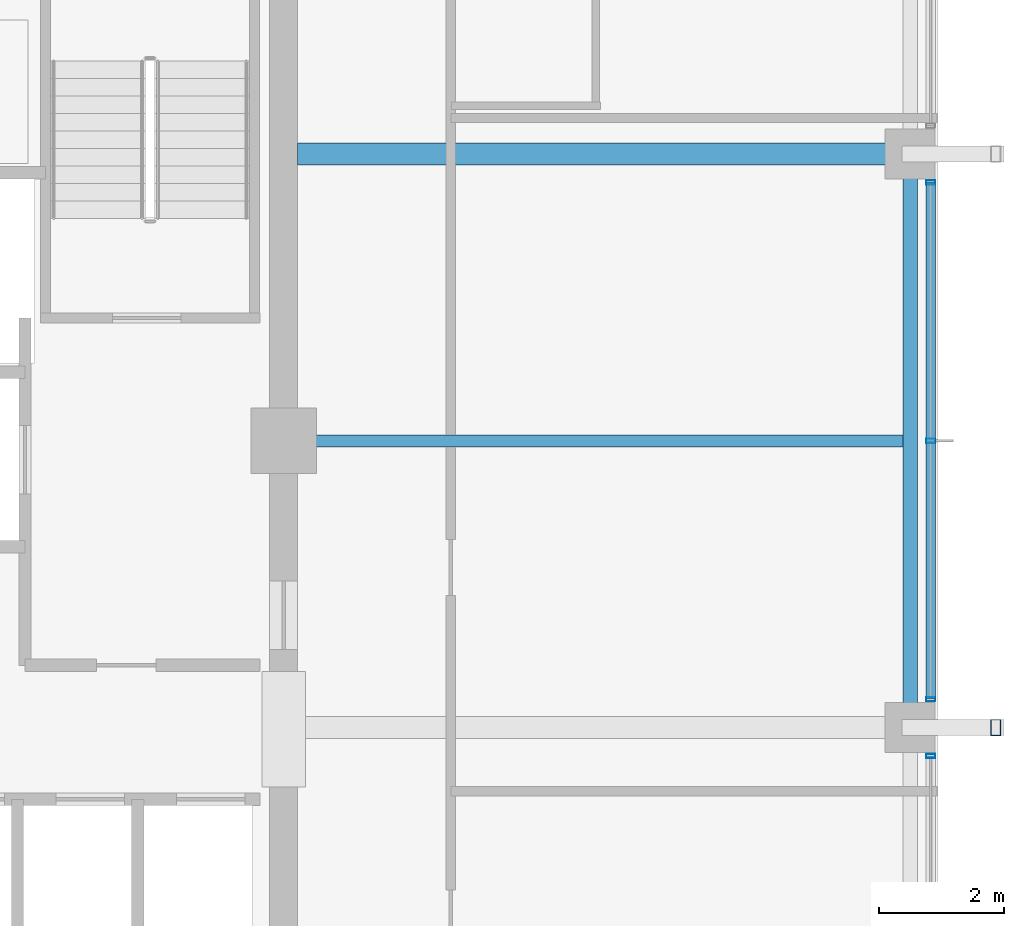
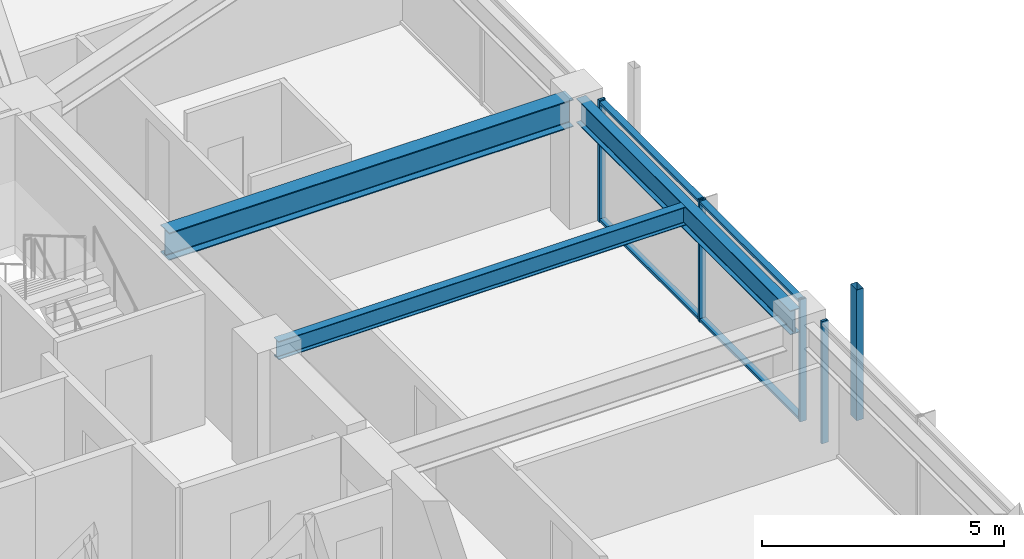
# One storey, part 13 of 33: 7 members, 3 beams, 2 elements without a shape of their own.
"""IFC4 building model written with IfcOpenShell, lengths in metres."""

from ifc_helpers import new_model, si_unit, direction, frame, origin, origin_2d, place, context, subcontext, project, spatial, hollow_rectangle, i_section, extrude, material, material_profile, profile_set, type_object, element, aggregate, save


model = new_model("IFC4")

# Units and contexts
model_context = context("Model", 3, precision=1e-05, world=origin(), true_north=direction((0.0, 1.0)))
body_context = subcontext(model_context, "Body", "Model", "MODEL_VIEW")
ifc_project = project(units=[si_unit("LENGTHUNIT", "METRE"), si_unit("AREAUNIT", "SQUARE_METRE"), si_unit("VOLUMEUNIT", "CUBIC_METRE"), si_unit("PLANEANGLEUNIT", "RADIAN"), si_unit("MASSUNIT", "GRAM", prefix="KILO")], contexts=[model_context])

# Site, building, storey
site_placement = place(None, origin())
site = spatial("IfcSite", under=ifc_project, at=site_placement, CompositionType="ELEMENT")
building_placement = place(site_placement, origin())
building = spatial("IfcBuilding", under=site, at=building_placement, Name="Kolvaren Belvedere", CompositionType="ELEMENT")
storey_placement = place(building_placement, frame((0.0, 0.0, 209.699951171875)))
storey = spatial("IfcBuildingStorey", under=building, at=storey_placement, Name="L61", CompositionType="ELEMENT", Elevation=209.699951171875)

# Beams
ifc_material_1 = material(Name="Structural steel ASTM A992 Grade 50", Category="steel")
ifc_material_profile_1 = material_profile(ifc_material_1, i_section(OverallWidth=0.35498046875, OverallDepth=0.696044921875, WebThickness=0.015380859375, FlangeThickness=0.02490234375, FilletRadius=0.02197265625, at=origin_2d()), Name="W27X146")
ifc_profile_set_1 = profile_set([ifc_material_profile_1], Name="Structural steel ASTM A992 Grade 50")
beam_type_1 = type_object("IfcBeamType", Name="BM-GIRD-W27X146", PredefinedType="BEAM", material=ifc_profile_set_1)
beam_1_placement = place(storey_placement, frame((10.125, 4.60009765625, 2.73193359375), z_axis=(1.0, 0.0, 0.0), x_axis=(0.0, 1.0, 0.0)))
element("IfcBeam", 1, at=beam_1_placement, inside=storey, type_object=beam_type_1, Name="L61 East Radial Girder P", PredefinedType="BEAM", context=body_context, shape_type="SweptSolid", body=[
    extrude(i_section(OverallWidth=0.35498046875, OverallDepth=0.696044921875, WebThickness=0.015380859375, FlangeThickness=0.02490234375, FilletRadius=0.02197265625, at=origin_2d()), origin(), (0.0, 0.0, 1.0), 9.64501953125),
])
ifc_material_2 = material(Name="Structural steel ASTM A992 Grade 50", Category="steel")
ifc_material_profile_2 = material_profile(ifc_material_2, i_section(OverallWidth=0.19091796875, OverallDepth=0.4599609375, WebThickness=0.010009765625, FlangeThickness=0.01611328125, FilletRadius=0.014892578125, at=origin_2d()), Name="W18X55")
ifc_profile_set_2 = profile_set([ifc_material_profile_2], Name="Structural steel ASTM A992 Grade 50")
beam_type_2 = type_object("IfcBeamType", Name="BM-JOIST-W18X55", PredefinedType="BEAM", material=ifc_profile_set_2)
beam_2_placement = place(storey_placement, frame((10.125, 0.0, 2.85009765625), z_axis=(1.0, 0.0, 0.0), x_axis=(0.0, 1.0, 0.0)))
element("IfcBeam", 2, at=beam_2_placement, inside=storey, type_object=beam_type_2, Name="L61 East Centre Floor Beam", PredefinedType="BEAM", context=body_context, shape_type="SweptSolid", body=[
    extrude(i_section(OverallWidth=0.19091796875, OverallDepth=0.4599609375, WebThickness=0.010009765625, FlangeThickness=0.01611328125, FilletRadius=0.014892578125, at=origin_2d()), origin(), (0.0, 0.0, 1.0), 9.71044921875),
])
ifc_material_3 = material(Name="Structural steel ASTM A992 Grade 50", Category="steel")
ifc_material_profile_3 = material_profile(ifc_material_3, i_section(OverallWidth=0.22900390625, OverallDepth=0.612060546875, WebThickness=0.011962890625, FlangeThickness=0.01953125, FilletRadius=0.01806640625, at=origin_2d()), Name="W24X84")
ifc_profile_set_3 = profile_set([ifc_material_profile_3], Name="Structural steel ASTM A992 Grade 50")
beam_type_3 = type_object("IfcBeamType", Name="BM-SPAN-W24X84", PredefinedType="SPANDREL", material=ifc_profile_set_3)
beam_3_placement = place(storey_placement, frame((19.949951171875, -4.419921875, 2.774169921875), z_axis=(0.0, 1.0, 0.0), x_axis=(-1.0, 0.0, 0.0)))
element("IfcBeam", 3, at=beam_3_placement, inside=storey, type_object=beam_type_3, Name="L61 Perimeter Spandrel E2-E3", PredefinedType="SPANDREL", context=body_context, shape_type="SweptSolid", body=[
    extrude(i_section(OverallWidth=0.22900390625, OverallDepth=0.612060546875, WebThickness=0.011962890625, FlangeThickness=0.01953125, FilletRadius=0.01806640625, at=origin_2d()), origin(), (0.0, 0.0, 1.0), 8.83984375),
])

# Curtain wall, members
ifc_material_4 = material(Name="Anodised pale-metal aluminium AA 6063-T6", Category="aluminium")
curtain_wall_type = type_object("IfcCurtainWallType", Name="CW-Z5-HIGH", PredefinedType="NOTDEFINED", material=ifc_material_4)
curtain_wall_1_placement = place(storey_placement, origin())
curtain_wall_1 = element("IfcCurtainWall", 4, at=curtain_wall_1_placement, inside=storey, type_object=curtain_wall_type, Name="L61 Unitised Curtain Wall FCW-L61-E-B2", PredefinedType="NOTDEFINED")
ifc_material_5 = material(Name="Anodised pale-metal aluminium AA 6063-T6", Category="aluminium")
ifc_material_profile_4 = material_profile(ifc_material_5, hollow_rectangle(XDim=0.070068359375, YDim=0.14990234375, WallThickness=0.004150390625, at=origin_2d()), Name="ALU-MUL-150X70")
ifc_profile_set_4 = profile_set([ifc_material_profile_4], Name="Anodised pale-metal aluminium AA 6063-T6")
member_type_1 = type_object("IfcMemberType", Name="CW-MUL-150", PredefinedType="MULLION", material=ifc_profile_set_4)
member_1_placement = place(storey_placement, frame((20.280029296875, 4.14501953125, 0.0), z_axis=(0.0, 0.0, 1.0), x_axis=(0.0, 1.0, 0.0)))
member_1 = element("IfcMember", 5, at=member_1_placement, type_object=member_type_1, Name="FCW-L61-E-B2 Unitised Mullion 1", PredefinedType="MULLION", context=body_context, shape_type="SweptSolid", body=[
    extrude(hollow_rectangle(XDim=0.070068359375, YDim=0.14990234375, WallThickness=0.004150390625, at=origin_2d()), origin(), (0.0, 0.0, 1.0), 3.080078125),
])
member_2_placement = place(storey_placement, frame((20.280029296875, 0.0, 0.0), z_axis=(0.0, 0.0, 1.0), x_axis=(0.0, 1.0, 0.0)))
member_2 = element("IfcMember", 6, at=member_2_placement, type_object=member_type_1, Name="FCW-L61-E-B2 Unitised Mullion 2", PredefinedType="MULLION", context=body_context, shape_type="SweptSolid", body=[
    extrude(hollow_rectangle(XDim=0.070068359375, YDim=0.14990234375, WallThickness=0.004150390625, at=origin_2d()), origin(), (0.0, 0.0, 1.0), 3.080078125),
])
member_3_placement = place(storey_placement, frame((20.280029296875, -4.14501953125, 0.0), z_axis=(0.0, 0.0, 1.0), x_axis=(0.0, 1.0, 0.0)))
member_3 = element("IfcMember", 7, at=member_3_placement, type_object=member_type_1, Name="FCW-L61-E-B2 Unitised Mullion 3", PredefinedType="MULLION", context=body_context, shape_type="SweptSolid", body=[
    extrude(hollow_rectangle(XDim=0.070068359375, YDim=0.14990234375, WallThickness=0.004150390625, at=origin_2d()), origin(), (0.0, 0.0, 1.0), 3.080078125),
])

# Curtain wall, member
curtain_wall_2_placement = place(storey_placement, origin())
curtain_wall_2 = element("IfcCurtainWall", 8, at=curtain_wall_2_placement, inside=storey, type_object=curtain_wall_type, Name="L61 Unitised Curtain Wall FCW-L61-E-B3", PredefinedType="NOTDEFINED")
member_4_placement = place(storey_placement, frame((20.280029296875, -5.054931640625, 0.0), z_axis=(0.0, 0.0, 1.0), x_axis=(0.0, 1.0, 0.0)))
member_4 = element("IfcMember", 9, at=member_4_placement, type_object=member_type_1, Name="FCW-L61-E-B3 Unitised Mullion 1", PredefinedType="MULLION", context=body_context, shape_type="SweptSolid", body=[
    extrude(hollow_rectangle(XDim=0.070068359375, YDim=0.14990234375, WallThickness=0.004150390625, at=origin_2d()), origin(), (0.0, 0.0, 1.0), 3.080078125),
])
aggregate(curtain_wall_2, [member_4])

# Member
ifc_material_6 = material(Name="Anodised pale-metal aluminium AA 6063-T6", Category="aluminium")
ifc_material_profile_5 = material_profile(ifc_material_6, hollow_rectangle(XDim=0.06494140625, YDim=0.14990234375, WallThickness=0.00390625, at=origin_2d()), Name="ALU-TRN-150X65")
ifc_profile_set_5 = profile_set([ifc_material_profile_5], Name="Anodised pale-metal aluminium AA 6063-T6")
member_type_2 = type_object("IfcMemberType", Name="CW-TRN-150", PredefinedType="USERDEFINED", material=ifc_profile_set_5)
member_5_placement = place(storey_placement, frame((20.280029296875, 4.14501953125, 0.06005859375), z_axis=(0.0, -1.0, 0.0), x_axis=(0.0, 0.0, 1.0)))
member_5 = element("IfcMember", 10, at=member_5_placement, type_object=member_type_2, Name="FCW-L61-E-B2 Sill Transom", ObjectType="TRANSOM", PredefinedType="USERDEFINED", context=body_context, shape_type="SweptSolid", body=[
    extrude(hollow_rectangle(XDim=0.06494140625, YDim=0.14990234375, WallThickness=0.00390625, at=origin_2d()), origin(), (0.0, 0.0, 1.0), 8.2900390625),
])

member_6_placement = place(storey_placement, frame((20.280029296875, 4.14501953125, 3.02001953125), z_axis=(0.0, -1.0, 0.0), x_axis=(0.0, 0.0, 1.0)))
member_6 = element("IfcMember", 11, at=member_6_placement, type_object=member_type_2, Name="FCW-L61-E-B2 Head Transom", ObjectType="TRANSOM", PredefinedType="USERDEFINED", context=body_context, shape_type="SweptSolid", body=[
    extrude(hollow_rectangle(XDim=0.06494140625, YDim=0.14990234375, WallThickness=0.00390625, at=origin_2d()), origin(), (0.0, 0.0, 1.0), 8.2900390625),
])

aggregate(curtain_wall_1, [member_1, member_2, member_3, member_5, member_6])

ifc_material_7 = material(Name="Anodised pale-metal aluminium AA 6063-T6", Category="aluminium")
ifc_material_profile_6 = material_profile(ifc_material_7, hollow_rectangle(XDim=0.159912109375, YDim=0.260009765625, WallThickness=0.006591796875, at=origin_2d()), Name="ALU-PF-260X160")
ifc_profile_set_6 = profile_set([ifc_material_profile_6], Name="Anodised pale-metal aluminium AA 6063-T6")
member_type_3 = type_object("IfcMemberType", Name="PF-FRAME-260", PredefinedType="USERDEFINED", material=ifc_profile_set_6)
member_7_placement = place(storey_placement, frame((21.320068359375, -4.60009765625, 0.0), z_axis=(0.0, 0.0, 1.0), x_axis=(1.0, 0.0, 0.0)))
element("IfcMember", 12, at=member_7_placement, inside=storey, type_object=member_type_3, Name="L61 Outboard Picture-Frame Vertical E2", ObjectType="PICTURE FRAME FIN", PredefinedType="USERDEFINED", context=body_context, shape_type="SweptSolid", body=[
    extrude(hollow_rectangle(XDim=0.159912109375, YDim=0.260009765625, WallThickness=0.006591796875, at=origin_2d()), origin(), (0.0, 0.0, 1.0), 3.300048828125),
])

save(model, "model.ifc")
